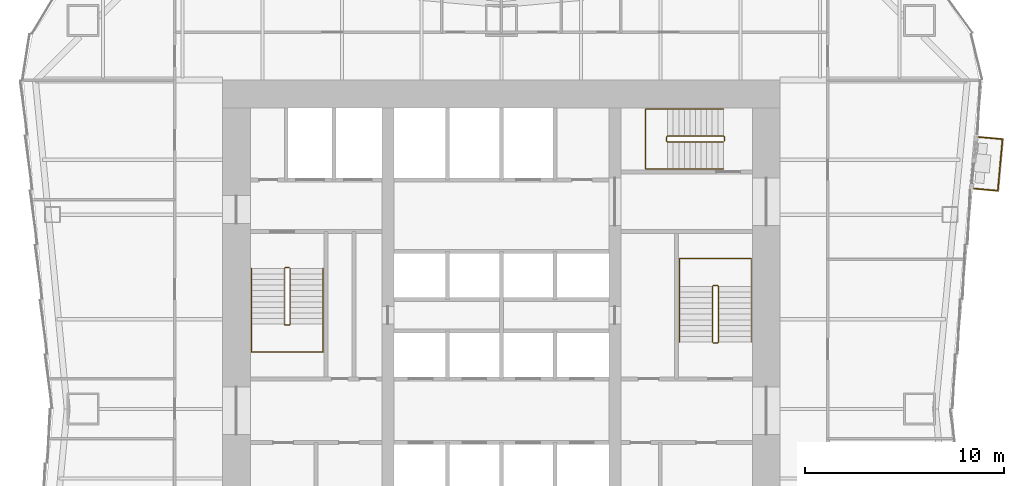
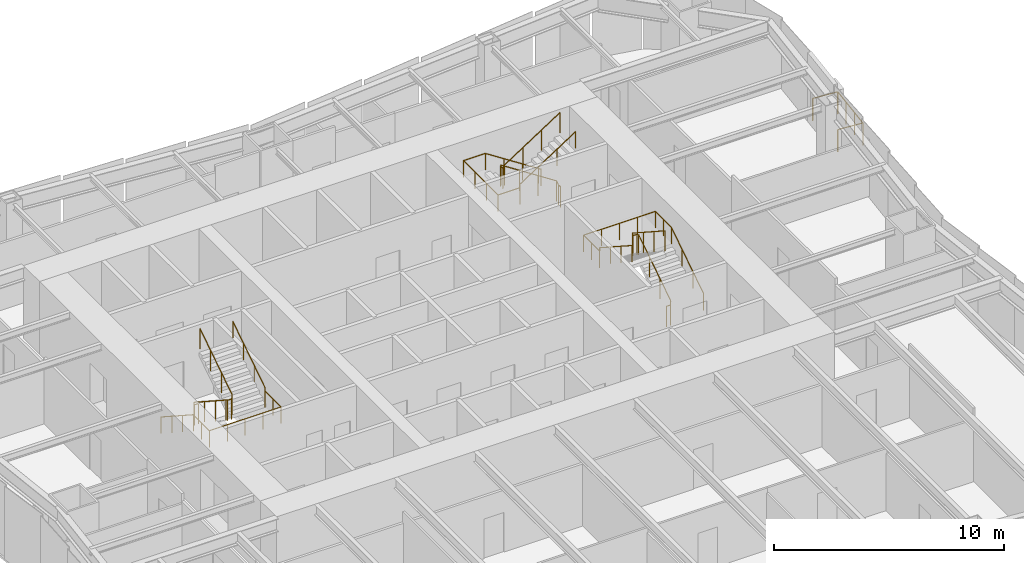
# One storey, part 7 of 8: 7 railings.
"""IFC4 building model written with IfcOpenShell, lengths in metres."""

from ifc_helpers import new_model, si_unit, direction, frame, origin, origin_2d, place, context, subcontext, project, spatial, circle, extrude, material, type_object, element, save


model = new_model("IFC4")

# Units and contexts
model_context = context("Model", 3, precision=1e-05, world=origin(), true_north=direction((0.0, 1.0)))
body_context = subcontext(model_context, "Body", "Model", "MODEL_VIEW")
ifc_project = project(units=[si_unit("LENGTHUNIT", "METRE"), si_unit("AREAUNIT", "SQUARE_METRE"), si_unit("VOLUMEUNIT", "CUBIC_METRE"), si_unit("PLANEANGLEUNIT", "RADIAN"), si_unit("MASSUNIT", "GRAM", prefix="KILO")], contexts=[model_context])

# Site, building, storey
site_placement = place(None, origin())
site = spatial("IfcSite", under=ifc_project, at=site_placement, CompositionType="ELEMENT")
building_placement = place(site_placement, origin())
building = spatial("IfcBuilding", under=site, at=building_placement, Name="Verdant Reach Tower", CompositionType="ELEMENT")
storey_placement = place(building_placement, frame((0.0, 0.0, 18.0)))
storey = spatial("IfcBuildingStorey", under=building, at=storey_placement, Name="L03", CompositionType="ELEMENT", Elevation=18.0)

# Railings
ifc_material_1 = material(Name="Stainless steel", Category="steel")
railing_type_1 = type_object("IfcRailingType", Name="CO-GUARD", PredefinedType="GUARDRAIL", material=ifc_material_1)
railing_1_placement = place(storey_placement, frame((-10.64990234375, 29.60009765625, 0.0)))
element("IfcRailing", 1, at=railing_1_placement, inside=storey, type_object=railing_type_1, Name="L03 ST-1 stair guard 1", PredefinedType="GUARDRAIL", context=body_context, shape_type="SweptSolid", body=[
    extrude(circle(Radius=0.02392578125, at=origin_2d()), frame((0.0, 0.0, 1.076171875), z_axis=(-1.0, 0.0, 0.0), x_axis=(0.0, -1.0, 0.0)), (0.0, 0.0, 1.0), 0.2001953125),
    extrude(circle(Radius=0.02392578125, at=origin_2d()), frame((-0.2001953125, 0.0, 1.076171875), z_axis=(-0.25526617399, -0.256517478764, 0.932222056972), x_axis=(0.708833529934, -0.705375805398, 0.0)), (0.0, 0.0, 1.0), 0.195068359375),
    extrude(circle(Radius=0.02392578125, at=origin_2d()), frame((-0.25, -0.050048828125, 1.2578125), z_axis=(0.0, -0.838705829183, 0.544584733623), x_axis=(1.0, 0.0, 0.0)), (0.0, 0.0, 1.0), 3.338623046875),
    extrude(circle(Radius=0.02392578125, at=origin_2d()), frame((-0.25, -2.85009765625, 3.076171875), z_axis=(0.705375805398, -0.708833529934, 0.0), x_axis=(0.708833529934, 0.705375805398, 0.0)), (0.0, 0.0, 1.0), 0.070556640625),
    extrude(circle(Radius=0.02392578125, at=origin_2d()), frame((-0.2001953125, -2.900146484375, 3.076171875), z_axis=(1.0, 0.0, 0.0), x_axis=(0.0, 1.0, 0.0)), (0.0, 0.0, 1.0), 0.2001953125),
    extrude(circle(Radius=0.02392578125, at=origin_2d()), frame((0.0, -2.900146484375, 3.076171875), z_axis=(0.25526617399, 0.256517478764, 0.932222056972), x_axis=(-0.708833529934, 0.705375805398, 0.0)), (0.0, 0.0, 1.0), 0.195068359375),
    extrude(circle(Radius=0.02392578125, at=origin_2d()), frame((0.0498046875, -2.85009765625, 3.2578125), z_axis=(0.0, 0.838705829183, 0.544584733623), x_axis=(-1.0, 0.0, 0.0)), (0.0, 0.0, 1.0), 3.338623046875),
    extrude(circle(Radius=0.02099609375, at=origin_2d()), origin(), (0.0, 0.0, 1.0), 1.052001953125),
    extrude(circle(Radius=0.02099609375, at=origin_2d()), frame((-0.2001953125, 0.0, 0.0)), (0.0, 0.0, 1.0), 1.052001953125),
    extrude(circle(Radius=0.02099609375, at=origin_2d()), frame((-0.25, -0.050048828125, 0.181884765625)), (0.0, 0.0, 1.0), 1.052001953125),
    extrude(circle(Radius=0.02099609375, at=origin_2d()), frame((-0.25, -0.9833984375, 0.787841796875)), (0.0, 0.0, 1.0), 1.052001953125),
    extrude(circle(Radius=0.02099609375, at=origin_2d()), frame((-0.25, -1.916748046875, 1.39404296875)), (0.0, 0.0, 1.0), 1.052001953125),
    extrude(circle(Radius=0.02099609375, at=origin_2d()), frame((-0.25, -2.85009765625, 2.0)), (0.0, 0.0, 1.0), 1.052001953125),
    extrude(circle(Radius=0.02099609375, at=origin_2d()), frame((-0.2001953125, -2.900146484375, 2.0)), (0.0, 0.0, 1.0), 1.052001953125),
    extrude(circle(Radius=0.02099609375, at=origin_2d()), frame((0.0, -2.900146484375, 2.0)), (0.0, 0.0, 1.0), 1.052001953125),
    extrude(circle(Radius=0.02099609375, at=origin_2d()), frame((0.0498046875, -2.85009765625, 2.181884765625)), (0.0, 0.0, 1.0), 1.052001953125),
    extrude(circle(Radius=0.02099609375, at=origin_2d()), frame((0.0498046875, -1.916748046875, 2.787841796875)), (0.0, 0.0, 1.0), 1.052001953125),
    extrude(circle(Radius=0.02099609375, at=origin_2d()), frame((0.0498046875, -0.9833984375, 3.39404296875)), (0.0, 0.0, 1.0), 1.052001953125),
    extrude(circle(Radius=0.02099609375, at=origin_2d()), frame((0.0498046875, -0.050048828125, 4.0)), (0.0, 0.0, 1.0), 1.052001953125),
])
railing_2_placement = place(storey_placement, frame((10.64990234375, 25.800048828125, 0.0)))
element("IfcRailing", 2, at=railing_2_placement, inside=storey, type_object=railing_type_1, Name="L03 ST-2 stair guard 1", PredefinedType="GUARDRAIL", context=body_context, shape_type="SweptSolid", body=[
    extrude(circle(Radius=0.02392578125, at=origin_2d()), frame((0.0, 0.0, 1.076171875), z_axis=(1.0, 0.0, 0.0), x_axis=(0.0, 1.0, 0.0)), (0.0, 0.0, 1.0), 0.2001953125),
    extrude(circle(Radius=0.02392578125, at=origin_2d()), frame((0.2001953125, 0.0, 1.076171875), z_axis=(0.25526617399, 0.256517478764, 0.932222056972), x_axis=(-0.708833529934, 0.705375805398, 0.0)), (0.0, 0.0, 1.0), 0.195068359375),
    extrude(circle(Radius=0.02392578125, at=origin_2d()), frame((0.25, 0.050048828125, 1.2578125), z_axis=(0.0, 0.83868413941, 0.544618136222), x_axis=(-1.0, 0.0, 0.0)), (0.0, 0.0, 1.0), 3.33837890625),
    extrude(circle(Radius=0.02392578125, at=origin_2d()), frame((0.25, 2.849853515625, 3.076171875), z_axis=(-0.705375805398, 0.708833529934, 0.0), x_axis=(-0.708833529934, -0.705375805398, 0.0)), (0.0, 0.0, 1.0), 0.070556640625),
    extrude(circle(Radius=0.02392578125, at=origin_2d()), frame((0.2001953125, 2.89990234375, 3.076171875), z_axis=(-1.0, 0.0, 0.0), x_axis=(0.0, -1.0, 0.0)), (0.0, 0.0, 1.0), 0.2001953125),
    extrude(circle(Radius=0.02392578125, at=origin_2d()), frame((0.0, 2.89990234375, 3.076171875), z_axis=(-0.25526617399, -0.256517478764, 0.932222056972), x_axis=(0.708833529934, -0.705375805398, 0.0)), (0.0, 0.0, 1.0), 0.195068359375),
    extrude(circle(Radius=0.02392578125, at=origin_2d()), frame((-0.0498046875, 2.849853515625, 3.2578125), z_axis=(0.0, -0.83868413941, 0.544618136222), x_axis=(1.0, 0.0, 0.0)), (0.0, 0.0, 1.0), 3.33837890625),
    extrude(circle(Radius=0.02099609375, at=origin_2d()), origin(), (0.0, 0.0, 1.0), 1.052001953125),
    extrude(circle(Radius=0.02099609375, at=origin_2d()), frame((0.2001953125, 0.0, 0.0)), (0.0, 0.0, 1.0), 1.052001953125),
    extrude(circle(Radius=0.02099609375, at=origin_2d()), frame((0.25, 0.050048828125, 0.181884765625)), (0.0, 0.0, 1.0), 1.052001953125),
    extrude(circle(Radius=0.02099609375, at=origin_2d()), frame((0.25, 0.9833984375, 0.787841796875)), (0.0, 0.0, 1.0), 1.052001953125),
    extrude(circle(Radius=0.02099609375, at=origin_2d()), frame((0.25, 1.91650390625, 1.39404296875)), (0.0, 0.0, 1.0), 1.052001953125),
    extrude(circle(Radius=0.02099609375, at=origin_2d()), frame((0.25, 2.849853515625, 2.0)), (0.0, 0.0, 1.0), 1.052001953125),
    extrude(circle(Radius=0.02099609375, at=origin_2d()), frame((0.2001953125, 2.89990234375, 2.0)), (0.0, 0.0, 1.0), 1.052001953125),
    extrude(circle(Radius=0.02099609375, at=origin_2d()), frame((0.0, 2.89990234375, 2.0)), (0.0, 0.0, 1.0), 1.052001953125),
    extrude(circle(Radius=0.02099609375, at=origin_2d()), frame((-0.0498046875, 2.849853515625, 2.181884765625)), (0.0, 0.0, 1.0), 1.052001953125),
    extrude(circle(Radius=0.02099609375, at=origin_2d()), frame((-0.0498046875, 1.91650390625, 2.787841796875)), (0.0, 0.0, 1.0), 1.052001953125),
    extrude(circle(Radius=0.02099609375, at=origin_2d()), frame((-0.0498046875, 0.9833984375, 3.39404296875)), (0.0, 0.0, 1.0), 1.052001953125),
    extrude(circle(Radius=0.02099609375, at=origin_2d()), frame((-0.0498046875, 0.050048828125, 4.0)), (0.0, 0.0, 1.0), 1.052001953125),
])
railing_3_placement = place(storey_placement, frame((11.199951171875, 35.949951171875, 0.0)))
element("IfcRailing", 3, at=railing_3_placement, inside=storey, type_object=railing_type_1, Name="L03 ST-3 stair guard 1", PredefinedType="GUARDRAIL", context=body_context, shape_type="SweptSolid", body=[
    extrude(circle(Radius=0.02392578125, at=origin_2d()), frame((0.0, 0.0, 1.076171875), z_axis=(0.0, 1.0, 0.0), x_axis=(-1.0, 0.0, 0.0)), (0.0, 0.0, 1.0), 0.199951171875),
    extrude(circle(Radius=0.02392578125, at=origin_2d()), frame((0.0, 0.199951171875, 1.076171875), z_axis=(-0.256435381639, 0.256435381639, 0.931923704005), x_axis=(-0.707106781187, -0.707106781187, 0.0)), (0.0, 0.0, 1.0), 0.195068359375),
    extrude(circle(Radius=0.02392578125, at=origin_2d()), frame((-0.050048828125, 0.25, 1.2578125), z_axis=(-0.83868413941, 0.0, 0.544618136222), x_axis=(0.0, -1.0, 0.0)), (0.0, 0.0, 1.0), 3.33837890625),
    extrude(circle(Radius=0.02392578125, at=origin_2d()), frame((-2.849853515625, 0.25, 3.076171875), z_axis=(-0.707106781187, -0.707106781187, 0.0), x_axis=(0.707106781187, -0.707106781187, 0.0)), (0.0, 0.0, 1.0), 0.07080078125),
    extrude(circle(Radius=0.02392578125, at=origin_2d()), frame((-2.89990234375, 0.199951171875, 3.076171875), z_axis=(0.0, -1.0, 0.0), x_axis=(1.0, 0.0, 0.0)), (0.0, 0.0, 1.0), 0.199951171875),
    extrude(circle(Radius=0.02392578125, at=origin_2d()), frame((-2.89990234375, 0.0, 3.076171875), z_axis=(0.256435381639, -0.256435381639, 0.931923704005), x_axis=(0.707106781187, 0.707106781187, 0.0)), (0.0, 0.0, 1.0), 0.195068359375),
    extrude(circle(Radius=0.02392578125, at=origin_2d()), frame((-2.849853515625, -0.050048828125, 3.2578125), z_axis=(0.83868413941, 0.0, 0.544618136222), x_axis=(0.0, 1.0, 0.0)), (0.0, 0.0, 1.0), 3.33837890625),
    extrude(circle(Radius=0.02099609375, at=origin_2d()), origin(), (0.0, 0.0, 1.0), 1.052001953125),
    extrude(circle(Radius=0.02099609375, at=origin_2d()), frame((0.0, 0.199951171875, 0.0)), (0.0, 0.0, 1.0), 1.052001953125),
    extrude(circle(Radius=0.02099609375, at=origin_2d()), frame((-0.050048828125, 0.25, 0.181884765625)), (0.0, 0.0, 1.0), 1.052001953125),
    extrude(circle(Radius=0.02099609375, at=origin_2d()), frame((-0.9833984375, 0.25, 0.787841796875)), (0.0, 0.0, 1.0), 1.052001953125),
    extrude(circle(Radius=0.02099609375, at=origin_2d()), frame((-1.91650390625, 0.25, 1.39404296875)), (0.0, 0.0, 1.0), 1.052001953125),
    extrude(circle(Radius=0.02099609375, at=origin_2d()), frame((-2.849853515625, 0.25, 2.0)), (0.0, 0.0, 1.0), 1.052001953125),
    extrude(circle(Radius=0.02099609375, at=origin_2d()), frame((-2.89990234375, 0.199951171875, 2.0)), (0.0, 0.0, 1.0), 1.052001953125),
    extrude(circle(Radius=0.02099609375, at=origin_2d()), frame((-2.89990234375, 0.0, 2.0)), (0.0, 0.0, 1.0), 1.052001953125),
    extrude(circle(Radius=0.02099609375, at=origin_2d()), frame((-2.849853515625, -0.050048828125, 2.181884765625)), (0.0, 0.0, 1.0), 1.052001953125),
    extrude(circle(Radius=0.02099609375, at=origin_2d()), frame((-1.91650390625, -0.050048828125, 2.787841796875)), (0.0, 0.0, 1.0), 1.052001953125),
    extrude(circle(Radius=0.02099609375, at=origin_2d()), frame((-0.9833984375, -0.050048828125, 3.39404296875)), (0.0, 0.0, 1.0), 1.052001953125),
    extrude(circle(Radius=0.02099609375, at=origin_2d()), frame((-0.050048828125, -0.050048828125, 4.0)), (0.0, 0.0, 1.0), 1.052001953125),
])
railing_type_2 = type_object("IfcRailingType", Name="CO-HANDRAIL", PredefinedType="HANDRAIL", material=ifc_material_1)
railing_4_placement = place(storey_placement, frame((-12.550048828125, 29.550048828125, 0.181884765625)))
element("IfcRailing", 4, at=railing_4_placement, inside=storey, type_object=railing_type_2, Name="L03 ST-1 stair handrail 1", PredefinedType="HANDRAIL", context=body_context, shape_type="SweptSolid", body=[
    extrude(circle(Radius=0.02392578125, at=origin_2d()), frame((0.0, 0.0, 0.8759765625), z_axis=(0.0, -0.838705829183, 0.544584733623), x_axis=(1.0, 0.0, 0.0)), (0.0, 0.0, 1.0), 3.338623046875),
    extrude(circle(Radius=0.02392578125, at=origin_2d()), frame((0.0, -2.800048828125, 2.69384765625), z_axis=(0.0, -1.0, 0.0), x_axis=(1.0, 0.0, 0.0)), (0.0, 0.0, 1.0), 1.39990234375),
    extrude(circle(Radius=0.02392578125, at=origin_2d()), frame((0.0, -4.199951171875, 2.69384765625), z_axis=(1.0, 0.0, 0.0), x_axis=(0.0, 1.0, 0.0)), (0.0, 0.0, 1.0), 3.60009765625),
    extrude(circle(Radius=0.02392578125, at=origin_2d()), frame((3.60009765625, -4.199951171875, 2.69384765625), z_axis=(0.0, 1.0, 0.0), x_axis=(-1.0, 0.0, 0.0)), (0.0, 0.0, 1.0), 1.39990234375),
    extrude(circle(Radius=0.02392578125, at=origin_2d()), frame((3.60009765625, -2.800048828125, 2.69384765625), z_axis=(0.0, 0.0, 1.0), x_axis=(1.0, 0.0, 0.0)), (0.0, 0.0, 1.0), 0.181884765625),
    extrude(circle(Radius=0.02392578125, at=origin_2d()), frame((3.60009765625, -2.800048828125, 2.8759765625), z_axis=(0.0, 0.838705829183, 0.544584733623), x_axis=(-1.0, 0.0, 0.0)), (0.0, 0.0, 1.0), 3.338623046875),
    extrude(circle(Radius=0.02099609375, at=origin_2d()), origin(), (0.0, 0.0, 1.0), 0.851806640625),
    extrude(circle(Radius=0.02099609375, at=origin_2d()), frame((0.0, -0.933349609375, 0.60595703125)), (0.0, 0.0, 1.0), 0.851806640625),
    extrude(circle(Radius=0.02099609375, at=origin_2d()), frame((0.0, -1.86669921875, 1.212158203125)), (0.0, 0.0, 1.0), 0.851806640625),
    extrude(circle(Radius=0.02099609375, at=origin_2d()), frame((0.0, -2.800048828125, 1.818115234375)), (0.0, 0.0, 1.0), 0.851806640625),
    extrude(circle(Radius=0.02099609375, at=origin_2d()), frame((0.0, -3.5, 1.818115234375)), (0.0, 0.0, 1.0), 0.851806640625),
    extrude(circle(Radius=0.02099609375, at=origin_2d()), frame((0.0, -4.199951171875, 1.818115234375)), (0.0, 0.0, 1.0), 0.851806640625),
    extrude(circle(Radius=0.02099609375, at=origin_2d()), frame((0.89990234375, -4.199951171875, 1.818115234375)), (0.0, 0.0, 1.0), 0.851806640625),
    extrude(circle(Radius=0.02099609375, at=origin_2d()), frame((1.800048828125, -4.199951171875, 1.818115234375)), (0.0, 0.0, 1.0), 0.851806640625),
    extrude(circle(Radius=0.02099609375, at=origin_2d()), frame((2.7001953125, -4.199951171875, 1.818115234375)), (0.0, 0.0, 1.0), 0.851806640625),
    extrude(circle(Radius=0.02099609375, at=origin_2d()), frame((3.60009765625, -4.199951171875, 1.818115234375)), (0.0, 0.0, 1.0), 0.851806640625),
    extrude(circle(Radius=0.02099609375, at=origin_2d()), frame((3.60009765625, -3.5, 1.818115234375)), (0.0, 0.0, 1.0), 0.851806640625),
    extrude(circle(Radius=0.02099609375, at=origin_2d()), frame((3.60009765625, -2.800048828125, 1.818115234375)), (0.0, 0.0, 1.0), 0.851806640625),
    extrude(circle(Radius=0.02099609375, at=origin_2d()), frame((3.60009765625, -2.800048828125, 2.0)), (0.0, 0.0, 1.0), 0.851806640625),
    extrude(circle(Radius=0.02099609375, at=origin_2d()), frame((3.60009765625, -1.86669921875, 2.60595703125)), (0.0, 0.0, 1.0), 0.851806640625),
    extrude(circle(Radius=0.02099609375, at=origin_2d()), frame((3.60009765625, -0.933349609375, 3.212158203125)), (0.0, 0.0, 1.0), 0.851806640625),
    extrude(circle(Radius=0.02099609375, at=origin_2d()), frame((3.60009765625, 0.0, 3.818115234375)), (0.0, 0.0, 1.0), 0.851806640625),
])
railing_5_placement = place(storey_placement, frame((12.550048828125, 25.85009765625, 0.181884765625)))
element("IfcRailing", 5, at=railing_5_placement, inside=storey, type_object=railing_type_2, Name="L03 ST-2 stair handrail 1", PredefinedType="HANDRAIL", context=body_context, shape_type="SweptSolid", body=[
    extrude(circle(Radius=0.02392578125, at=origin_2d()), frame((0.0, 0.0, 0.8759765625), z_axis=(0.0, 0.83868413941, 0.544618136222), x_axis=(-1.0, 0.0, 0.0)), (0.0, 0.0, 1.0), 3.33837890625),
    extrude(circle(Radius=0.02392578125, at=origin_2d()), frame((0.0, 2.7998046875, 2.69384765625), z_axis=(0.0, 1.0, 0.0), x_axis=(-1.0, 0.0, 0.0)), (0.0, 0.0, 1.0), 1.400146484375),
    extrude(circle(Radius=0.02392578125, at=origin_2d()), frame((0.0, 4.199951171875, 2.69384765625), z_axis=(-1.0, 0.0, 0.0), x_axis=(0.0, -1.0, 0.0)), (0.0, 0.0, 1.0), 3.60009765625),
    extrude(circle(Radius=0.02392578125, at=origin_2d()), frame((-3.60009765625, 4.199951171875, 2.69384765625), z_axis=(0.0, -1.0, 0.0), x_axis=(1.0, 0.0, 0.0)), (0.0, 0.0, 1.0), 1.400146484375),
    extrude(circle(Radius=0.02392578125, at=origin_2d()), frame((-3.60009765625, 2.7998046875, 2.69384765625), z_axis=(0.0, 0.0, 1.0), x_axis=(1.0, 0.0, 0.0)), (0.0, 0.0, 1.0), 0.181884765625),
    extrude(circle(Radius=0.02392578125, at=origin_2d()), frame((-3.60009765625, 2.7998046875, 2.8759765625), z_axis=(0.0, -0.83868413941, 0.544618136222), x_axis=(1.0, 0.0, 0.0)), (0.0, 0.0, 1.0), 3.33837890625),
    extrude(circle(Radius=0.02099609375, at=origin_2d()), origin(), (0.0, 0.0, 1.0), 0.851806640625),
    extrude(circle(Radius=0.02099609375, at=origin_2d()), frame((0.0, 0.933349609375, 0.60595703125)), (0.0, 0.0, 1.0), 0.851806640625),
    extrude(circle(Radius=0.02099609375, at=origin_2d()), frame((0.0, 1.866455078125, 1.212158203125)), (0.0, 0.0, 1.0), 0.851806640625),
    extrude(circle(Radius=0.02099609375, at=origin_2d()), frame((0.0, 2.7998046875, 1.818115234375)), (0.0, 0.0, 1.0), 0.851806640625),
    extrude(circle(Radius=0.02099609375, at=origin_2d()), frame((0.0, 3.5, 1.818115234375)), (0.0, 0.0, 1.0), 0.851806640625),
    extrude(circle(Radius=0.02099609375, at=origin_2d()), frame((0.0, 4.199951171875, 1.818115234375)), (0.0, 0.0, 1.0), 0.851806640625),
    extrude(circle(Radius=0.02099609375, at=origin_2d()), frame((-0.89990234375, 4.199951171875, 1.818115234375)), (0.0, 0.0, 1.0), 0.851806640625),
    extrude(circle(Radius=0.02099609375, at=origin_2d()), frame((-1.800048828125, 4.199951171875, 1.818115234375)), (0.0, 0.0, 1.0), 0.851806640625),
    extrude(circle(Radius=0.02099609375, at=origin_2d()), frame((-2.7001953125, 4.199951171875, 1.818115234375)), (0.0, 0.0, 1.0), 0.851806640625),
    extrude(circle(Radius=0.02099609375, at=origin_2d()), frame((-3.60009765625, 4.199951171875, 1.818115234375)), (0.0, 0.0, 1.0), 0.851806640625),
    extrude(circle(Radius=0.02099609375, at=origin_2d()), frame((-3.60009765625, 3.5, 1.818115234375)), (0.0, 0.0, 1.0), 0.851806640625),
    extrude(circle(Radius=0.02099609375, at=origin_2d()), frame((-3.60009765625, 2.7998046875, 1.818115234375)), (0.0, 0.0, 1.0), 0.851806640625),
    extrude(circle(Radius=0.02099609375, at=origin_2d()), frame((-3.60009765625, 2.7998046875, 2.0)), (0.0, 0.0, 1.0), 0.851806640625),
    extrude(circle(Radius=0.02099609375, at=origin_2d()), frame((-3.60009765625, 1.866455078125, 2.60595703125)), (0.0, 0.0, 1.0), 0.851806640625),
    extrude(circle(Radius=0.02099609375, at=origin_2d()), frame((-3.60009765625, 0.933349609375, 3.212158203125)), (0.0, 0.0, 1.0), 0.851806640625),
    extrude(circle(Radius=0.02099609375, at=origin_2d()), frame((-3.60009765625, 0.0, 3.818115234375)), (0.0, 0.0, 1.0), 0.851806640625),
])
railing_6_placement = place(storey_placement, frame((11.14990234375, 37.550048828125, 0.181884765625)))
element("IfcRailing", 6, at=railing_6_placement, inside=storey, type_object=railing_type_2, Name="L03 ST-3 stair handrail 1", PredefinedType="HANDRAIL", context=body_context, shape_type="SweptSolid", body=[
    extrude(circle(Radius=0.02392578125, at=origin_2d()), frame((0.0, 0.0, 0.8759765625), z_axis=(-0.83868413941, 0.0, 0.544618136222), x_axis=(0.0, -1.0, 0.0)), (0.0, 0.0, 1.0), 3.33837890625),
    extrude(circle(Radius=0.02392578125, at=origin_2d()), frame((-2.7998046875, 0.0, 2.69384765625), z_axis=(-1.0, 0.0, 0.0), x_axis=(0.0, -1.0, 0.0)), (0.0, 0.0, 1.0), 1.10009765625),
    extrude(circle(Radius=0.02392578125, at=origin_2d()), frame((-3.89990234375, 0.0, 2.69384765625), z_axis=(0.0, -1.0, 0.0), x_axis=(1.0, 0.0, 0.0)), (0.0, 0.0, 1.0), 3.0),
    extrude(circle(Radius=0.02392578125, at=origin_2d()), frame((-3.89990234375, -3.0, 2.69384765625), z_axis=(1.0, 0.0, 0.0), x_axis=(0.0, 1.0, 0.0)), (0.0, 0.0, 1.0), 1.10009765625),
    extrude(circle(Radius=0.02392578125, at=origin_2d()), frame((-2.7998046875, -3.0, 2.69384765625), z_axis=(0.0, 0.0, 1.0), x_axis=(1.0, 0.0, 0.0)), (0.0, 0.0, 1.0), 0.181884765625),
    extrude(circle(Radius=0.02392578125, at=origin_2d()), frame((-2.7998046875, -3.0, 2.8759765625), z_axis=(0.83868413941, 0.0, 0.544618136222), x_axis=(0.0, 1.0, 0.0)), (0.0, 0.0, 1.0), 3.33837890625),
    extrude(circle(Radius=0.02099609375, at=origin_2d()), origin(), (0.0, 0.0, 1.0), 0.851806640625),
    extrude(circle(Radius=0.02099609375, at=origin_2d()), frame((-0.933349609375, 0.0, 0.60595703125)), (0.0, 0.0, 1.0), 0.851806640625),
    extrude(circle(Radius=0.02099609375, at=origin_2d()), frame((-1.866455078125, 0.0, 1.212158203125)), (0.0, 0.0, 1.0), 0.851806640625),
    extrude(circle(Radius=0.02099609375, at=origin_2d()), frame((-2.7998046875, 0.0, 1.818115234375)), (0.0, 0.0, 1.0), 0.851806640625),
    extrude(circle(Radius=0.02099609375, at=origin_2d()), frame((-3.89990234375, 0.0, 1.818115234375)), (0.0, 0.0, 1.0), 0.851806640625),
    extrude(circle(Radius=0.02099609375, at=origin_2d()), frame((-3.89990234375, -1.0, 1.818115234375)), (0.0, 0.0, 1.0), 0.851806640625),
    extrude(circle(Radius=0.02099609375, at=origin_2d()), frame((-3.89990234375, -2.0, 1.818115234375)), (0.0, 0.0, 1.0), 0.851806640625),
    extrude(circle(Radius=0.02099609375, at=origin_2d()), frame((-3.89990234375, -3.0, 1.818115234375)), (0.0, 0.0, 1.0), 0.851806640625),
    extrude(circle(Radius=0.02099609375, at=origin_2d()), frame((-2.7998046875, -3.0, 1.818115234375)), (0.0, 0.0, 1.0), 0.851806640625),
    extrude(circle(Radius=0.02099609375, at=origin_2d()), frame((-2.7998046875, -3.0, 2.0)), (0.0, 0.0, 1.0), 0.851806640625),
    extrude(circle(Radius=0.02099609375, at=origin_2d()), frame((-1.866455078125, -3.0, 2.60595703125)), (0.0, 0.0, 1.0), 0.851806640625),
    extrude(circle(Radius=0.02099609375, at=origin_2d()), frame((-0.933349609375, -3.0, 3.212158203125)), (0.0, 0.0, 1.0), 0.851806640625),
    extrude(circle(Radius=0.02099609375, at=origin_2d()), frame((0.0, -3.0, 3.818115234375)), (0.0, 0.0, 1.0), 0.851806640625),
])
ifc_material_2 = material(Name="Stainless steel and laminated glass balustrade", Category="steel")
railing_type_3 = type_object("IfcRailingType", Name="EN-RAILING BALCONY", PredefinedType="GUARDRAIL", material=ifc_material_2)
railing_7_placement = place(storey_placement, frame((23.736328125, 33.558837890625, 0.0)))
element("IfcRailing", 7, at=railing_7_placement, inside=storey, type_object=railing_type_3, Name="Balcony guard 1, L03", PredefinedType="GUARDRAIL", context=body_context, shape_type="SweptSolid", body=[
    extrude(circle(Radius=0.02490234375, at=origin_2d()), frame((0.0, 0.0, 1.1748046875), z_axis=(0.995893206468, -0.090535746043, 0.0), x_axis=(0.090535746043, 0.995893206468, 0.0)), (0.0, 0.0, 1.0), 1.199951171875),
    extrude(circle(Radius=0.02490234375, at=origin_2d()), frame((1.195068359375, -0.108642578125, 1.1748046875), z_axis=(0.090569595155, 0.995890128696, 0.0), x_axis=(-0.995890128696, 0.090569595155, 0.0)), (0.0, 0.0, 1.0), 2.601318359375),
    extrude(circle(Radius=0.02490234375, at=origin_2d()), frame((1.4306640625, 2.48193359375, 1.1748046875), z_axis=(-0.995893206468, 0.090535746043, 0.0), x_axis=(-0.090535746043, -0.995893206468, 0.0)), (0.0, 0.0, 1.0), 1.199951171875),
    extrude(circle(Radius=0.02490234375, at=origin_2d()), origin(), (0.0, 0.0, 1.0), 1.14990234375),
    extrude(circle(Radius=0.02490234375, at=origin_2d()), frame((1.195068359375, -0.108642578125, 0.0)), (0.0, 0.0, 1.0), 1.14990234375),
    extrude(circle(Radius=0.02490234375, at=origin_2d()), frame((1.273681640625, 0.7548828125, 0.0)), (0.0, 0.0, 1.0), 1.14990234375),
    extrude(circle(Radius=0.02490234375, at=origin_2d()), frame((1.35205078125, 1.618408203125, 0.0)), (0.0, 0.0, 1.0), 1.14990234375),
    extrude(circle(Radius=0.02490234375, at=origin_2d()), frame((1.4306640625, 2.48193359375, 0.0)), (0.0, 0.0, 1.0), 1.14990234375),
    extrude(circle(Radius=0.02490234375, at=origin_2d()), frame((0.235595703125, 2.590576171875, 0.0)), (0.0, 0.0, 1.0), 1.14990234375),
])

save(model, "model.ifc")
